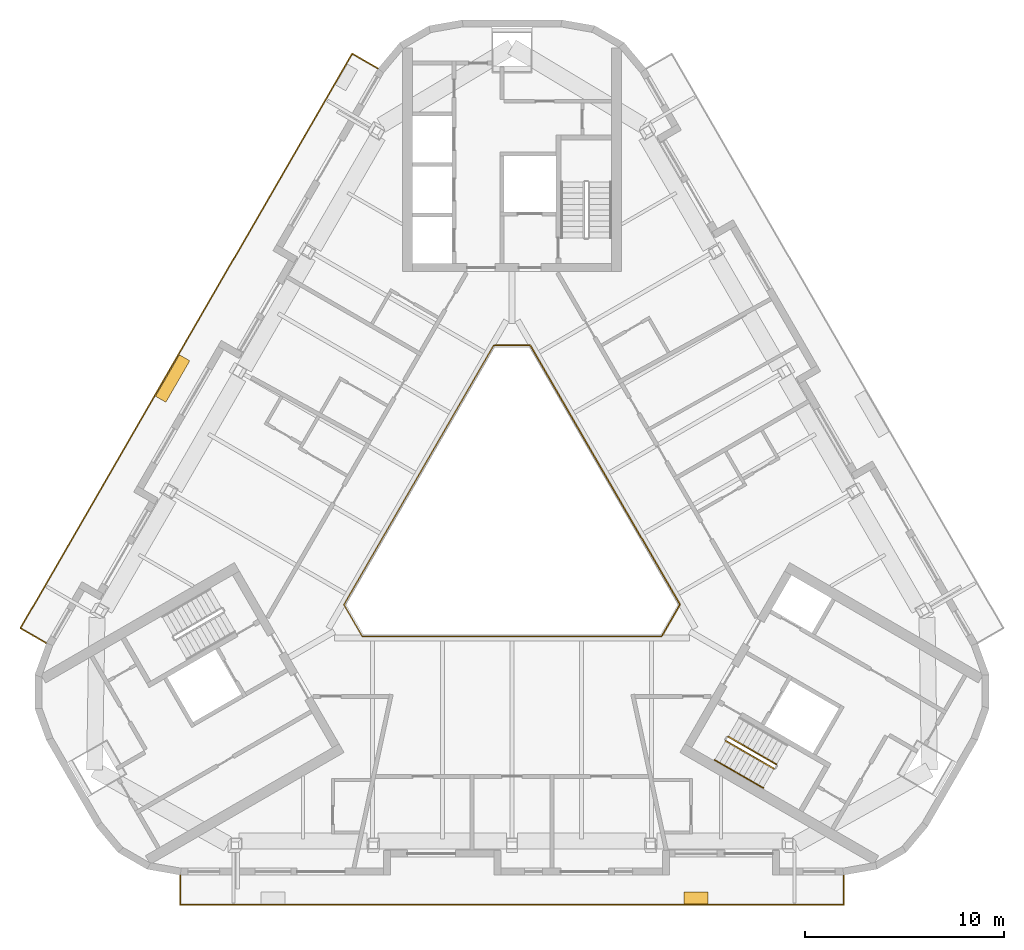
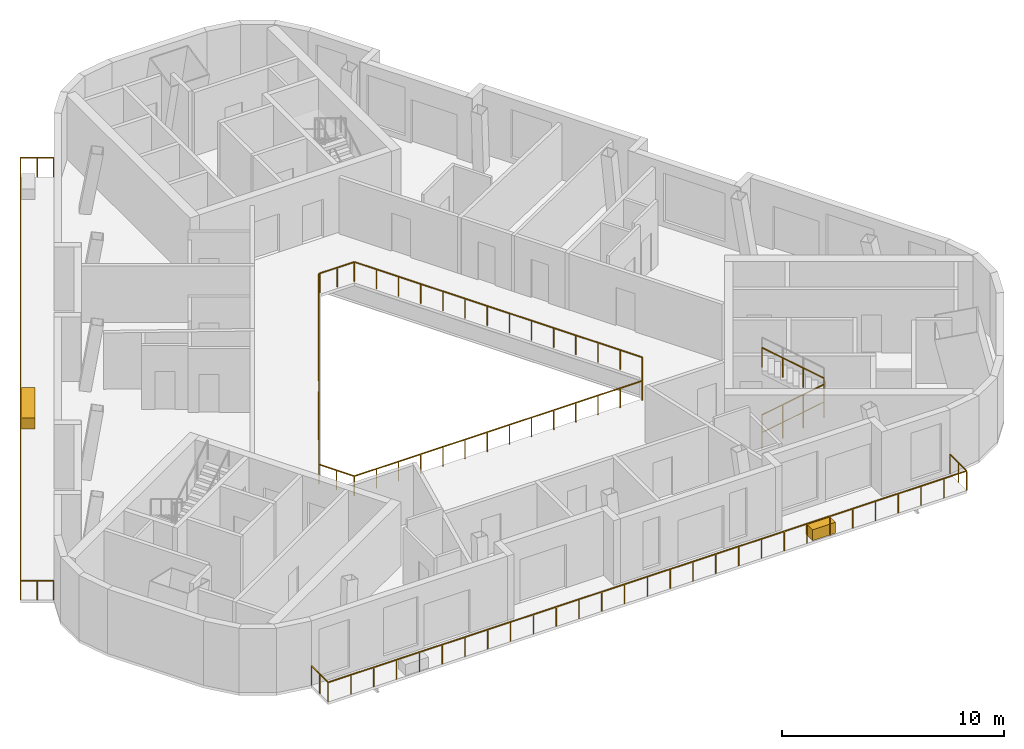
# One storey, part 10 of 13: 7 railings, 2 coverings.
"""IFC4 building model written with IfcOpenShell, lengths in metres."""

from ifc_helpers import new_model, si_unit, direction, frame, origin, origin_2d, place, context, subcontext, project, spatial, rectangle, circle, extrude, material, type_object, element, save


model = new_model("IFC4")

# Units and contexts
model_context = context("Model", 3, precision=1e-05, world=origin(), true_north=direction((0.0, 1.0)))
body_context = subcontext(model_context, "Body", "Model", "MODEL_VIEW")
ifc_project = project(units=[si_unit("LENGTHUNIT", "METRE"), si_unit("AREAUNIT", "SQUARE_METRE"), si_unit("VOLUMEUNIT", "CUBIC_METRE"), si_unit("PLANEANGLEUNIT", "RADIAN"), si_unit("MASSUNIT", "GRAM", prefix="KILO")], contexts=[model_context])

# Site, building, storey
site_placement = place(None, origin())
site = spatial("IfcSite", under=ifc_project, at=site_placement, CompositionType="ELEMENT")
building_placement = place(site_placement, origin())
building = spatial("IfcBuilding", under=site, at=building_placement, Name="Apuvela Tower Hotel", CompositionType="ELEMENT")
storey_placement = place(building_placement, frame((0.0, 0.0, 298.5)))
storey = spatial("IfcBuildingStorey", under=building, at=storey_placement, Name="L74", CompositionType="ELEMENT", Elevation=298.5)

# Railings
ifc_material_1 = material(Name="Steel S275 balustrade", Category="steel")
railing_type_1 = type_object("IfcRailingType", Name="COR-GUARD-1100", PredefinedType="GUARDRAIL", material=ifc_material_1)
railing_1_placement = place(storey_placement, frame((10.718994140625, -10.63427734375, 0.168212890625)))
element("IfcRailing", 1, at=railing_1_placement, inside=storey, type_object=railing_type_1, Name="L74 ST3 stair guard 1", PredefinedType="GUARDRAIL", context=body_context, shape_type="SweptSolid", body=[
    extrude(rectangle(XDim=0.048095703125, YDim=0.048095703125, at=origin_2d()), frame((0.0, 0.0, 1.076171875), z_axis=(0.742390482028, -0.42860119049, 0.514934356695), x_axis=(0.49998411664, 0.866034573852, 0.0)), (0.0, 0.0, 1.0), 3.26611328125),
    extrude(rectangle(XDim=0.0419921875, YDim=0.0419921875, at=origin_2d()), origin(), (0.0, 0.0, 1.0), 1.052001953125),
    extrude(rectangle(XDim=0.0419921875, YDim=0.0419921875, at=origin_2d()), frame((0.808349609375, -0.466552734375, 0.560546875)), (0.0, 0.0, 1.0), 1.052001953125),
    extrude(rectangle(XDim=0.0419921875, YDim=0.0419921875, at=origin_2d()), frame((1.616455078125, -0.933349609375, 1.121337890625)), (0.0, 0.0, 1.0), 1.052001953125),
    extrude(rectangle(XDim=0.0419921875, YDim=0.0419921875, at=origin_2d()), frame((2.4248046875, -1.39990234375, 1.681884765625)), (0.0, 0.0, 1.0), 1.052001953125),
])
railing_2_placement = place(storey_placement, frame((13.268798828125, -11.817626953125, 2.01806640625)))
element("IfcRailing", 2, at=railing_2_placement, inside=storey, type_object=railing_type_1, Name="L74 ST3 stair guard 3", PredefinedType="GUARDRAIL", context=body_context, shape_type="SweptSolid", body=[
    extrude(rectangle(XDim=0.048095703125, YDim=0.048095703125, at=origin_2d()), frame((0.0, 0.0, 1.076171875), z_axis=(-0.742390482028, 0.42860119049, 0.514934356695), x_axis=(-0.49998411664, -0.866034573852, 0.0)), (0.0, 0.0, 1.0), 3.26611328125),
    extrude(rectangle(XDim=0.0419921875, YDim=0.0419921875, at=origin_2d()), origin(), (0.0, 0.0, 1.0), 1.052001953125),
    extrude(rectangle(XDim=0.0419921875, YDim=0.0419921875, at=origin_2d()), frame((-0.808349609375, 0.466552734375, 0.560546875)), (0.0, 0.0, 1.0), 1.052001953125),
    extrude(rectangle(XDim=0.0419921875, YDim=0.0419921875, at=origin_2d()), frame((-1.616455078125, 0.933349609375, 1.121337890625)), (0.0, 0.0, 1.0), 1.052001953125),
    extrude(rectangle(XDim=0.0419921875, YDim=0.0419921875, at=origin_2d()), frame((-2.4248046875, 1.39990234375, 1.681884765625)), (0.0, 0.0, 1.0), 1.052001953125),
])
ifc_material_2 = material(Name="Stainless steel 316 handrail", Category="steel")
railing_type_2 = type_object("IfcRailingType", Name="COR-HANDRAIL-900", PredefinedType="HANDRAIL", material=ifc_material_2)
railing_3_placement = place(storey_placement, frame((10.1689453125, -11.5869140625, 0.168212890625)))
element("IfcRailing", 3, at=railing_3_placement, inside=storey, type_object=railing_type_2, Name="L74 ST3 stair handrail 1", PredefinedType="HANDRAIL", context=body_context, shape_type="SweptSolid", body=[
    extrude(circle(Radius=0.02392578125, at=origin_2d()), frame((0.0, 0.0, 0.8759765625), z_axis=(0.742390482028, -0.42860119049, 0.514934356695), x_axis=(0.49998411664, 0.866034573852, 0.0)), (0.0, 0.0, 1.0), 3.26611328125),
    extrude(rectangle(XDim=0.0419921875, YDim=0.0419921875, at=origin_2d()), origin(), (0.0, 0.0, 1.0), 0.851806640625),
    extrude(rectangle(XDim=0.0419921875, YDim=0.0419921875, at=origin_2d()), frame((0.808349609375, -0.466552734375, 0.560546875)), (0.0, 0.0, 1.0), 0.851806640625),
    extrude(rectangle(XDim=0.0419921875, YDim=0.0419921875, at=origin_2d()), frame((1.616455078125, -0.933349609375, 1.121337890625)), (0.0, 0.0, 1.0), 0.851806640625),
    extrude(rectangle(XDim=0.0419921875, YDim=0.0419921875, at=origin_2d()), frame((2.4248046875, -1.39990234375, 1.681884765625)), (0.0, 0.0, 1.0), 0.851806640625),
])
ifc_material_3 = material(Name="Stainless steel 316 rail with laminated glass infill", Category="steel")
railing_type_3 = type_object("IfcRailingType", Name="ENV-GUARD-1100", PredefinedType="GUARDRAIL", material=ifc_material_3)
railing_4_placement = place(storey_placement, frame((-16.6416015625, -17.361572265625, 0.0)))
element("IfcRailing", 4, at=railing_4_placement, inside=storey, type_object=railing_type_3, Name="Balcony guard S L74", PredefinedType="GUARDRAIL", context=body_context, shape_type="SweptSolid", body=[
    extrude(rectangle(XDim=0.050048828125, YDim=0.050048828125, at=origin_2d()), frame((0.0, 0.0, 1.0751953125), z_axis=(0.0, -1.0, 0.0), x_axis=(1.0, 0.0, 0.0)), (0.0, 0.0, 1.0), 1.5),
    extrude(rectangle(XDim=0.050048828125, YDim=0.050048828125, at=origin_2d()), frame((0.0, -1.5, 1.0751953125), z_axis=(1.0, 0.0, 0.0), x_axis=(0.0, 1.0, 0.0)), (0.0, 0.0, 1.0), 33.283203125),
    extrude(rectangle(XDim=0.050048828125, YDim=0.050048828125, at=origin_2d()), frame((33.283203125, -1.5, 1.0751953125), z_axis=(0.0, 1.0, 0.0), x_axis=(-1.0, 0.0, 0.0)), (0.0, 0.0, 1.0), 1.5),
    extrude(rectangle(XDim=0.0400390625, YDim=0.0400390625, at=origin_2d()), origin(), (0.0, 0.0, 1.0), 1.050048828125),
    extrude(rectangle(XDim=0.0400390625, YDim=0.0400390625, at=origin_2d()), frame((0.0, -0.75, 0.0)), (0.0, 0.0, 1.0), 1.050048828125),
    extrude(rectangle(XDim=0.0400390625, YDim=0.0400390625, at=origin_2d()), frame((0.0, -1.5, 0.0)), (0.0, 0.0, 1.0), 1.050048828125),
    extrude(rectangle(XDim=0.0400390625, YDim=0.0400390625, at=origin_2d()), frame((1.188720703125, -1.5, 0.0)), (0.0, 0.0, 1.0), 1.050048828125),
    extrude(rectangle(XDim=0.0400390625, YDim=0.0400390625, at=origin_2d()), frame((2.37744140625, -1.5, 0.0)), (0.0, 0.0, 1.0), 1.050048828125),
    extrude(rectangle(XDim=0.0400390625, YDim=0.0400390625, at=origin_2d()), frame((3.566162109375, -1.5, 0.0)), (0.0, 0.0, 1.0), 1.050048828125),
    extrude(rectangle(XDim=0.0400390625, YDim=0.0400390625, at=origin_2d()), frame((4.754638671875, -1.5, 0.0)), (0.0, 0.0, 1.0), 1.050048828125),
    extrude(rectangle(XDim=0.0400390625, YDim=0.0400390625, at=origin_2d()), frame((5.943359375, -1.5, 0.0)), (0.0, 0.0, 1.0), 1.050048828125),
    extrude(rectangle(XDim=0.0400390625, YDim=0.0400390625, at=origin_2d()), frame((7.132080078125, -1.5, 0.0)), (0.0, 0.0, 1.0), 1.050048828125),
    extrude(rectangle(XDim=0.0400390625, YDim=0.0400390625, at=origin_2d()), frame((8.32080078125, -1.5, 0.0)), (0.0, 0.0, 1.0), 1.050048828125),
    extrude(rectangle(XDim=0.0400390625, YDim=0.0400390625, at=origin_2d()), frame((9.509521484375, -1.5, 0.0)), (0.0, 0.0, 1.0), 1.050048828125),
    extrude(rectangle(XDim=0.0400390625, YDim=0.0400390625, at=origin_2d()), frame((10.6982421875, -1.5, 0.0)), (0.0, 0.0, 1.0), 1.050048828125),
    extrude(rectangle(XDim=0.0400390625, YDim=0.0400390625, at=origin_2d()), frame((11.886962890625, -1.5, 0.0)), (0.0, 0.0, 1.0), 1.050048828125),
    extrude(rectangle(XDim=0.0400390625, YDim=0.0400390625, at=origin_2d()), frame((13.075439453125, -1.5, 0.0)), (0.0, 0.0, 1.0), 1.050048828125),
    extrude(rectangle(XDim=0.0400390625, YDim=0.0400390625, at=origin_2d()), frame((14.26416015625, -1.5, 0.0)), (0.0, 0.0, 1.0), 1.050048828125),
    extrude(rectangle(XDim=0.0400390625, YDim=0.0400390625, at=origin_2d()), frame((15.452880859375, -1.5, 0.0)), (0.0, 0.0, 1.0), 1.050048828125),
    extrude(rectangle(XDim=0.0400390625, YDim=0.0400390625, at=origin_2d()), frame((16.6416015625, -1.5, 0.0)), (0.0, 0.0, 1.0), 1.050048828125),
    extrude(rectangle(XDim=0.0400390625, YDim=0.0400390625, at=origin_2d()), frame((17.830322265625, -1.5, 0.0)), (0.0, 0.0, 1.0), 1.050048828125),
    extrude(rectangle(XDim=0.0400390625, YDim=0.0400390625, at=origin_2d()), frame((19.01904296875, -1.5, 0.0)), (0.0, 0.0, 1.0), 1.050048828125),
    extrude(rectangle(XDim=0.0400390625, YDim=0.0400390625, at=origin_2d()), frame((20.207763671875, -1.5, 0.0)), (0.0, 0.0, 1.0), 1.050048828125),
    extrude(rectangle(XDim=0.0400390625, YDim=0.0400390625, at=origin_2d()), frame((21.396240234375, -1.5, 0.0)), (0.0, 0.0, 1.0), 1.050048828125),
    extrude(rectangle(XDim=0.0400390625, YDim=0.0400390625, at=origin_2d()), frame((22.5849609375, -1.5, 0.0)), (0.0, 0.0, 1.0), 1.050048828125),
    extrude(rectangle(XDim=0.0400390625, YDim=0.0400390625, at=origin_2d()), frame((23.773681640625, -1.5, 0.0)), (0.0, 0.0, 1.0), 1.050048828125),
    extrude(rectangle(XDim=0.0400390625, YDim=0.0400390625, at=origin_2d()), frame((24.96240234375, -1.5, 0.0)), (0.0, 0.0, 1.0), 1.050048828125),
    extrude(rectangle(XDim=0.0400390625, YDim=0.0400390625, at=origin_2d()), frame((26.151123046875, -1.5, 0.0)), (0.0, 0.0, 1.0), 1.050048828125),
    extrude(rectangle(XDim=0.0400390625, YDim=0.0400390625, at=origin_2d()), frame((27.33984375, -1.5, 0.0)), (0.0, 0.0, 1.0), 1.050048828125),
    extrude(rectangle(XDim=0.0400390625, YDim=0.0400390625, at=origin_2d()), frame((28.528564453125, -1.5, 0.0)), (0.0, 0.0, 1.0), 1.050048828125),
    extrude(rectangle(XDim=0.0400390625, YDim=0.0400390625, at=origin_2d()), frame((29.717041015625, -1.5, 0.0)), (0.0, 0.0, 1.0), 1.050048828125),
    extrude(rectangle(XDim=0.0400390625, YDim=0.0400390625, at=origin_2d()), frame((30.90576171875, -1.5, 0.0)), (0.0, 0.0, 1.0), 1.050048828125),
    extrude(rectangle(XDim=0.0400390625, YDim=0.0400390625, at=origin_2d()), frame((32.094482421875, -1.5, 0.0)), (0.0, 0.0, 1.0), 1.050048828125),
    extrude(rectangle(XDim=0.0400390625, YDim=0.0400390625, at=origin_2d()), frame((33.283203125, -1.5, 0.0)), (0.0, 0.0, 1.0), 1.050048828125),
    extrude(rectangle(XDim=0.0400390625, YDim=0.0400390625, at=origin_2d()), frame((33.283203125, -0.75, 0.0)), (0.0, 0.0, 1.0), 1.050048828125),
    extrude(rectangle(XDim=0.0400390625, YDim=0.0400390625, at=origin_2d()), frame((33.283203125, 0.0, 0.0)), (0.0, 0.0, 1.0), 1.050048828125),
])
railing_5_placement = place(storey_placement, frame((-6.71484375, 23.0927734375, 0.0)))
element("IfcRailing", 5, at=railing_5_placement, inside=storey, type_object=railing_type_3, Name="Balcony guard NW L74", PredefinedType="GUARDRAIL", context=body_context, shape_type="SweptSolid", body=[
    extrude(rectangle(XDim=0.050048828125, YDim=0.050048828125, at=origin_2d()), frame((0.0, 0.0, 1.0751953125), z_axis=(-0.866031096941, 0.499990139034, 0.0), x_axis=(-0.499990139034, -0.866031096941, 0.0)), (0.0, 0.0, 1.0), 1.5),
    extrude(rectangle(XDim=0.050048828125, YDim=0.050048828125, at=origin_2d()), frame((-1.299072265625, 0.75, 1.0751953125), z_axis=(-0.500001623856, -0.866024466248, 0.0), x_axis=(0.866024466248, -0.500001623856, 0.0)), (0.0, 0.0, 1.0), 33.283203125),
    extrude(rectangle(XDim=0.050048828125, YDim=0.050048828125, at=origin_2d()), frame((-17.940673828125, -28.073974609375, 1.0751953125), z_axis=(0.866031096941, -0.499990139034, 0.0), x_axis=(0.499990139034, 0.866031096941, 0.0)), (0.0, 0.0, 1.0), 1.5),
    extrude(rectangle(XDim=0.0400390625, YDim=0.0400390625, at=origin_2d()), origin(), (0.0, 0.0, 1.0), 1.050048828125),
    extrude(rectangle(XDim=0.0400390625, YDim=0.0400390625, at=origin_2d()), frame((-0.6494140625, 0.375, 0.0)), (0.0, 0.0, 1.0), 1.050048828125),
    extrude(rectangle(XDim=0.0400390625, YDim=0.0400390625, at=origin_2d()), frame((-1.299072265625, 0.75, 0.0)), (0.0, 0.0, 1.0), 1.050048828125),
    extrude(rectangle(XDim=0.0400390625, YDim=0.0400390625, at=origin_2d()), frame((-1.893310546875, -0.279541015625, 0.0)), (0.0, 0.0, 1.0), 1.050048828125),
    extrude(rectangle(XDim=0.0400390625, YDim=0.0400390625, at=origin_2d()), frame((-2.48779296875, -1.308837890625, 0.0)), (0.0, 0.0, 1.0), 1.050048828125),
    extrude(rectangle(XDim=0.0400390625, YDim=0.0400390625, at=origin_2d()), frame((-3.08203125, -2.33837890625, 0.0)), (0.0, 0.0, 1.0), 1.050048828125),
    extrude(rectangle(XDim=0.0400390625, YDim=0.0400390625, at=origin_2d()), frame((-3.676513671875, -3.36767578125, 0.0)), (0.0, 0.0, 1.0), 1.050048828125),
    extrude(rectangle(XDim=0.0400390625, YDim=0.0400390625, at=origin_2d()), frame((-4.270751953125, -4.397216796875, 0.0)), (0.0, 0.0, 1.0), 1.050048828125),
    extrude(rectangle(XDim=0.0400390625, YDim=0.0400390625, at=origin_2d()), frame((-4.865234375, -5.426513671875, 0.0)), (0.0, 0.0, 1.0), 1.050048828125),
    extrude(rectangle(XDim=0.0400390625, YDim=0.0400390625, at=origin_2d()), frame((-5.45947265625, -6.4560546875, 0.0)), (0.0, 0.0, 1.0), 1.050048828125),
    extrude(rectangle(XDim=0.0400390625, YDim=0.0400390625, at=origin_2d()), frame((-6.0537109375, -7.4853515625, 0.0)), (0.0, 0.0, 1.0), 1.050048828125),
    extrude(rectangle(XDim=0.0400390625, YDim=0.0400390625, at=origin_2d()), frame((-6.648193359375, -8.514892578125, 0.0)), (0.0, 0.0, 1.0), 1.050048828125),
    extrude(rectangle(XDim=0.0400390625, YDim=0.0400390625, at=origin_2d()), frame((-7.242431640625, -9.544189453125, 0.0)), (0.0, 0.0, 1.0), 1.050048828125),
    extrude(rectangle(XDim=0.0400390625, YDim=0.0400390625, at=origin_2d()), frame((-7.8369140625, -10.57373046875, 0.0)), (0.0, 0.0, 1.0), 1.050048828125),
    extrude(rectangle(XDim=0.0400390625, YDim=0.0400390625, at=origin_2d()), frame((-8.43115234375, -11.60302734375, 0.0)), (0.0, 0.0, 1.0), 1.050048828125),
    extrude(rectangle(XDim=0.0400390625, YDim=0.0400390625, at=origin_2d()), frame((-9.025634765625, -12.632568359375, 0.0)), (0.0, 0.0, 1.0), 1.050048828125),
    extrude(rectangle(XDim=0.0400390625, YDim=0.0400390625, at=origin_2d()), frame((-9.619873046875, -13.662109375, 0.0)), (0.0, 0.0, 1.0), 1.050048828125),
    extrude(rectangle(XDim=0.0400390625, YDim=0.0400390625, at=origin_2d()), frame((-10.214111328125, -14.69140625, 0.0)), (0.0, 0.0, 1.0), 1.050048828125),
    extrude(rectangle(XDim=0.0400390625, YDim=0.0400390625, at=origin_2d()), frame((-10.80859375, -15.720947265625, 0.0)), (0.0, 0.0, 1.0), 1.050048828125),
    extrude(rectangle(XDim=0.0400390625, YDim=0.0400390625, at=origin_2d()), frame((-11.40283203125, -16.750244140625, 0.0)), (0.0, 0.0, 1.0), 1.050048828125),
    extrude(rectangle(XDim=0.0400390625, YDim=0.0400390625, at=origin_2d()), frame((-11.997314453125, -17.77978515625, 0.0)), (0.0, 0.0, 1.0), 1.050048828125),
    extrude(rectangle(XDim=0.0400390625, YDim=0.0400390625, at=origin_2d()), frame((-12.591552734375, -18.80908203125, 0.0)), (0.0, 0.0, 1.0), 1.050048828125),
    extrude(rectangle(XDim=0.0400390625, YDim=0.0400390625, at=origin_2d()), frame((-13.18603515625, -19.838623046875, 0.0)), (0.0, 0.0, 1.0), 1.050048828125),
    extrude(rectangle(XDim=0.0400390625, YDim=0.0400390625, at=origin_2d()), frame((-13.7802734375, -20.867919921875, 0.0)), (0.0, 0.0, 1.0), 1.050048828125),
    extrude(rectangle(XDim=0.0400390625, YDim=0.0400390625, at=origin_2d()), frame((-14.37451171875, -21.8974609375, 0.0)), (0.0, 0.0, 1.0), 1.050048828125),
    extrude(rectangle(XDim=0.0400390625, YDim=0.0400390625, at=origin_2d()), frame((-14.968994140625, -22.9267578125, 0.0)), (0.0, 0.0, 1.0), 1.050048828125),
    extrude(rectangle(XDim=0.0400390625, YDim=0.0400390625, at=origin_2d()), frame((-15.563232421875, -23.956298828125, 0.0)), (0.0, 0.0, 1.0), 1.050048828125),
    extrude(rectangle(XDim=0.0400390625, YDim=0.0400390625, at=origin_2d()), frame((-16.15771484375, -24.985595703125, 0.0)), (0.0, 0.0, 1.0), 1.050048828125),
    extrude(rectangle(XDim=0.0400390625, YDim=0.0400390625, at=origin_2d()), frame((-16.751953125, -26.01513671875, 0.0)), (0.0, 0.0, 1.0), 1.050048828125),
    extrude(rectangle(XDim=0.0400390625, YDim=0.0400390625, at=origin_2d()), frame((-17.346435546875, -27.04443359375, 0.0)), (0.0, 0.0, 1.0), 1.050048828125),
    extrude(rectangle(XDim=0.0400390625, YDim=0.0400390625, at=origin_2d()), frame((-17.940673828125, -28.073974609375, 0.0)), (0.0, 0.0, 1.0), 1.050048828125),
    extrude(rectangle(XDim=0.0400390625, YDim=0.0400390625, at=origin_2d()), frame((-17.291015625, -28.448974609375, 0.0)), (0.0, 0.0, 1.0), 1.050048828125),
    extrude(rectangle(XDim=0.0400390625, YDim=0.0400390625, at=origin_2d()), frame((-16.6416015625, -28.823974609375, 0.0)), (0.0, 0.0, 1.0), 1.050048828125),
])
railing_6_placement = place(storey_placement, frame((-0.923828125, 9.199951171875, 0.0)))
element("IfcRailing", 6, at=railing_6_placement, inside=storey, type_object=railing_type_3, Name="Atrium void guard A L74", PredefinedType="GUARDRAIL", context=body_context, shape_type="SweptSolid", body=[
    extrude(rectangle(XDim=0.050048828125, YDim=0.050048828125, at=origin_2d()), frame((0.0, 0.0, 1.0751953125), z_axis=(-0.499990886379, -0.866030665472, 0.0), x_axis=(0.866030665472, -0.499990886379, 0.0)), (0.0, 0.0, 1.0), 15.010986328125),
    extrude(rectangle(XDim=0.050048828125, YDim=0.050048828125, at=origin_2d()), frame((-7.50537109375, -13.0, 1.0751953125), z_axis=(0.499962699187, -0.866046938348, 0.0), x_axis=(0.866046938348, 0.499962699187, 0.0)), (0.0, 0.0, 1.0), 1.847412109375),
    extrude(rectangle(XDim=0.050048828125, YDim=0.050048828125, at=origin_2d()), frame((-6.581787109375, -14.599853515625, 1.0751953125), z_axis=(1.0, 0.0, 0.0), x_axis=(0.0, 1.0, 0.0)), (0.0, 0.0, 1.0), 15.01123046875),
    extrude(rectangle(XDim=0.0400390625, YDim=0.0400390625, at=origin_2d()), origin(), (0.0, 0.0, 1.0), 1.050048828125),
    extrude(rectangle(XDim=0.0400390625, YDim=0.0400390625, at=origin_2d()), frame((-0.577392578125, -1.0, 0.0)), (0.0, 0.0, 1.0), 1.050048828125),
    extrude(rectangle(XDim=0.0400390625, YDim=0.0400390625, at=origin_2d()), frame((-1.15478515625, -2.0, 0.0)), (0.0, 0.0, 1.0), 1.050048828125),
    extrude(rectangle(XDim=0.0400390625, YDim=0.0400390625, at=origin_2d()), frame((-1.73193359375, -3.0, 0.0)), (0.0, 0.0, 1.0), 1.050048828125),
    extrude(rectangle(XDim=0.0400390625, YDim=0.0400390625, at=origin_2d()), frame((-2.309326171875, -4.0, 0.0)), (0.0, 0.0, 1.0), 1.050048828125),
    extrude(rectangle(XDim=0.0400390625, YDim=0.0400390625, at=origin_2d()), frame((-2.88671875, -5.0, 0.0)), (0.0, 0.0, 1.0), 1.050048828125),
    extrude(rectangle(XDim=0.0400390625, YDim=0.0400390625, at=origin_2d()), frame((-3.464111328125, -6.0, 0.0)), (0.0, 0.0, 1.0), 1.050048828125),
    extrude(rectangle(XDim=0.0400390625, YDim=0.0400390625, at=origin_2d()), frame((-4.041259765625, -7.0, 0.0)), (0.0, 0.0, 1.0), 1.050048828125),
    extrude(rectangle(XDim=0.0400390625, YDim=0.0400390625, at=origin_2d()), frame((-4.61865234375, -8.0, 0.0)), (0.0, 0.0, 1.0), 1.050048828125),
    extrude(rectangle(XDim=0.0400390625, YDim=0.0400390625, at=origin_2d()), frame((-5.196044921875, -9.0, 0.0)), (0.0, 0.0, 1.0), 1.050048828125),
    extrude(rectangle(XDim=0.0400390625, YDim=0.0400390625, at=origin_2d()), frame((-5.7734375, -10.0, 0.0)), (0.0, 0.0, 1.0), 1.050048828125),
    extrude(rectangle(XDim=0.0400390625, YDim=0.0400390625, at=origin_2d()), frame((-6.3505859375, -11.0, 0.0)), (0.0, 0.0, 1.0), 1.050048828125),
    extrude(rectangle(XDim=0.0400390625, YDim=0.0400390625, at=origin_2d()), frame((-6.927978515625, -12.0, 0.0)), (0.0, 0.0, 1.0), 1.050048828125),
    extrude(rectangle(XDim=0.0400390625, YDim=0.0400390625, at=origin_2d()), frame((-7.50537109375, -13.0, 0.0)), (0.0, 0.0, 1.0), 1.050048828125),
    extrude(rectangle(XDim=0.0400390625, YDim=0.0400390625, at=origin_2d()), frame((-7.04345703125, -13.7998046875, 0.0)), (0.0, 0.0, 1.0), 1.050048828125),
    extrude(rectangle(XDim=0.0400390625, YDim=0.0400390625, at=origin_2d()), frame((-6.581787109375, -14.599853515625, 0.0)), (0.0, 0.0, 1.0), 1.050048828125),
    extrude(rectangle(XDim=0.0400390625, YDim=0.0400390625, at=origin_2d()), frame((-5.427001953125, -14.599853515625, 0.0)), (0.0, 0.0, 1.0), 1.050048828125),
    extrude(rectangle(XDim=0.0400390625, YDim=0.0400390625, at=origin_2d()), frame((-4.2724609375, -14.599853515625, 0.0)), (0.0, 0.0, 1.0), 1.050048828125),
    extrude(rectangle(XDim=0.0400390625, YDim=0.0400390625, at=origin_2d()), frame((-3.11767578125, -14.599853515625, 0.0)), (0.0, 0.0, 1.0), 1.050048828125),
    extrude(rectangle(XDim=0.0400390625, YDim=0.0400390625, at=origin_2d()), frame((-1.962890625, -14.599853515625, 0.0)), (0.0, 0.0, 1.0), 1.050048828125),
    extrude(rectangle(XDim=0.0400390625, YDim=0.0400390625, at=origin_2d()), frame((-0.808349609375, -14.599853515625, 0.0)), (0.0, 0.0, 1.0), 1.050048828125),
    extrude(rectangle(XDim=0.0400390625, YDim=0.0400390625, at=origin_2d()), frame((0.346435546875, -14.599853515625, 0.0)), (0.0, 0.0, 1.0), 1.050048828125),
    extrude(rectangle(XDim=0.0400390625, YDim=0.0400390625, at=origin_2d()), frame((1.501220703125, -14.599853515625, 0.0)), (0.0, 0.0, 1.0), 1.050048828125),
    extrude(rectangle(XDim=0.0400390625, YDim=0.0400390625, at=origin_2d()), frame((2.656005859375, -14.599853515625, 0.0)), (0.0, 0.0, 1.0), 1.050048828125),
    extrude(rectangle(XDim=0.0400390625, YDim=0.0400390625, at=origin_2d()), frame((3.810546875, -14.599853515625, 0.0)), (0.0, 0.0, 1.0), 1.050048828125),
    extrude(rectangle(XDim=0.0400390625, YDim=0.0400390625, at=origin_2d()), frame((4.96533203125, -14.599853515625, 0.0)), (0.0, 0.0, 1.0), 1.050048828125),
    extrude(rectangle(XDim=0.0400390625, YDim=0.0400390625, at=origin_2d()), frame((6.1201171875, -14.599853515625, 0.0)), (0.0, 0.0, 1.0), 1.050048828125),
    extrude(rectangle(XDim=0.0400390625, YDim=0.0400390625, at=origin_2d()), frame((7.274658203125, -14.599853515625, 0.0)), (0.0, 0.0, 1.0), 1.050048828125),
    extrude(rectangle(XDim=0.0400390625, YDim=0.0400390625, at=origin_2d()), frame((8.429443359375, -14.599853515625, 0.0)), (0.0, 0.0, 1.0), 1.050048828125),
])
railing_7_placement = place(storey_placement, frame((7.53564453125, -5.347900390625, 0.0)))
element("IfcRailing", 7, at=railing_7_placement, inside=storey, type_object=railing_type_3, Name="Atrium void guard B L74", PredefinedType="GUARDRAIL", context=body_context, shape_type="SweptSolid", body=[
    extrude(rectangle(XDim=0.050048828125, YDim=0.050048828125, at=origin_2d()), frame((0.0, 0.0, 1.0751953125), z_axis=(0.499958946799, 0.866049104564, 0.0), x_axis=(-0.866049104564, 0.499958946799, 0.0)), (0.0, 0.0, 1.0), 1.787353515625),
    extrude(rectangle(XDim=0.050048828125, YDim=0.050048828125, at=origin_2d()), frame((0.8935546875, 1.5478515625, 1.0751953125), z_axis=(-0.499990886379, 0.866030665472, 0.0), x_axis=(-0.866030665472, -0.499990886379, 0.0)), (0.0, 0.0, 1.0), 15.010986328125),
    extrude(rectangle(XDim=0.050048828125, YDim=0.050048828125, at=origin_2d()), frame((-6.61181640625, 14.5478515625, 1.0751953125), z_axis=(-1.0, 0.0, 0.0), x_axis=(0.0, -1.0, 0.0)), (0.0, 0.0, 1.0), 1.78759765625),
    extrude(rectangle(XDim=0.0400390625, YDim=0.0400390625, at=origin_2d()), origin(), (0.0, 0.0, 1.0), 1.050048828125),
    extrude(rectangle(XDim=0.0400390625, YDim=0.0400390625, at=origin_2d()), frame((0.44677734375, 0.77392578125, 0.0)), (0.0, 0.0, 1.0), 1.050048828125),
    extrude(rectangle(XDim=0.0400390625, YDim=0.0400390625, at=origin_2d()), frame((0.8935546875, 1.5478515625, 0.0)), (0.0, 0.0, 1.0), 1.050048828125),
    extrude(rectangle(XDim=0.0400390625, YDim=0.0400390625, at=origin_2d()), frame((0.316162109375, 2.5478515625, 0.0)), (0.0, 0.0, 1.0), 1.050048828125),
    extrude(rectangle(XDim=0.0400390625, YDim=0.0400390625, at=origin_2d()), frame((-0.26123046875, 3.5478515625, 0.0)), (0.0, 0.0, 1.0), 1.050048828125),
    extrude(rectangle(XDim=0.0400390625, YDim=0.0400390625, at=origin_2d()), frame((-0.83837890625, 4.5478515625, 0.0)), (0.0, 0.0, 1.0), 1.050048828125),
    extrude(rectangle(XDim=0.0400390625, YDim=0.0400390625, at=origin_2d()), frame((-1.415771484375, 5.5478515625, 0.0)), (0.0, 0.0, 1.0), 1.050048828125),
    extrude(rectangle(XDim=0.0400390625, YDim=0.0400390625, at=origin_2d()), frame((-1.9931640625, 6.5478515625, 0.0)), (0.0, 0.0, 1.0), 1.050048828125),
    extrude(rectangle(XDim=0.0400390625, YDim=0.0400390625, at=origin_2d()), frame((-2.570556640625, 7.5478515625, 0.0)), (0.0, 0.0, 1.0), 1.050048828125),
    extrude(rectangle(XDim=0.0400390625, YDim=0.0400390625, at=origin_2d()), frame((-3.147705078125, 8.5478515625, 0.0)), (0.0, 0.0, 1.0), 1.050048828125),
    extrude(rectangle(XDim=0.0400390625, YDim=0.0400390625, at=origin_2d()), frame((-3.72509765625, 9.5478515625, 0.0)), (0.0, 0.0, 1.0), 1.050048828125),
    extrude(rectangle(XDim=0.0400390625, YDim=0.0400390625, at=origin_2d()), frame((-4.302490234375, 10.5478515625, 0.0)), (0.0, 0.0, 1.0), 1.050048828125),
    extrude(rectangle(XDim=0.0400390625, YDim=0.0400390625, at=origin_2d()), frame((-4.8798828125, 11.5478515625, 0.0)), (0.0, 0.0, 1.0), 1.050048828125),
    extrude(rectangle(XDim=0.0400390625, YDim=0.0400390625, at=origin_2d()), frame((-5.45703125, 12.5478515625, 0.0)), (0.0, 0.0, 1.0), 1.050048828125),
    extrude(rectangle(XDim=0.0400390625, YDim=0.0400390625, at=origin_2d()), frame((-6.034423828125, 13.5478515625, 0.0)), (0.0, 0.0, 1.0), 1.050048828125),
    extrude(rectangle(XDim=0.0400390625, YDim=0.0400390625, at=origin_2d()), frame((-6.61181640625, 14.5478515625, 0.0)), (0.0, 0.0, 1.0), 1.050048828125),
    extrude(rectangle(XDim=0.0400390625, YDim=0.0400390625, at=origin_2d()), frame((-7.505615234375, 14.5478515625, 0.0)), (0.0, 0.0, 1.0), 1.050048828125),
    extrude(rectangle(XDim=0.0400390625, YDim=0.0400390625, at=origin_2d()), frame((-8.3994140625, 14.5478515625, 0.0)), (0.0, 0.0, 1.0), 1.050048828125),
])

# Coverings
ifc_material_4 = material(Name="Planting substrate and soil, planted")
covering_type_1 = type_object("IfcCoveringType", Name="ENV-PLANTER-1200x600", PredefinedType="USERDEFINED", material=ifc_material_4)
covering_1_placement = place(storey_placement, frame((9.23388671875, -18.51171875, 0.0), z_axis=(0.0, 0.0, 1.0), x_axis=(1.0, 0.0, 0.0)))
element("IfcCovering", 8, at=covering_1_placement, inside=storey, type_object=covering_type_1, Name="Planter S2", ObjectType="PLANTER", PredefinedType="USERDEFINED", context=body_context, shape_type="SweptSolid", body=[
    extrude(rectangle(XDim=1.199951171875, YDim=0.60009765625, at=origin_2d()), origin(), (0.0, 0.0, 1.0), 0.60009765625),
])
covering_type_2 = type_object("IfcCoveringType", Name="ENV-PLANTER-2400x600", PredefinedType="USERDEFINED", material=ifc_material_4)
covering_2_placement = place(storey_placement, frame((-17.0205078125, 7.542724609375, 0.0), z_axis=(0.0, 0.0, 1.0), x_axis=(-0.5, -0.866025403784, 0.0)))
element("IfcCovering", 9, at=covering_2_placement, inside=storey, type_object=covering_type_2, Name="Planter NW5", ObjectType="PLANTER", PredefinedType="USERDEFINED", context=body_context, shape_type="SweptSolid", body=[
    extrude(rectangle(XDim=2.39990234375, YDim=0.60009765625, at=origin_2d()), origin(), (0.0, 0.0, 1.0), 0.60009765625),
])

save(model, "model.ifc")
